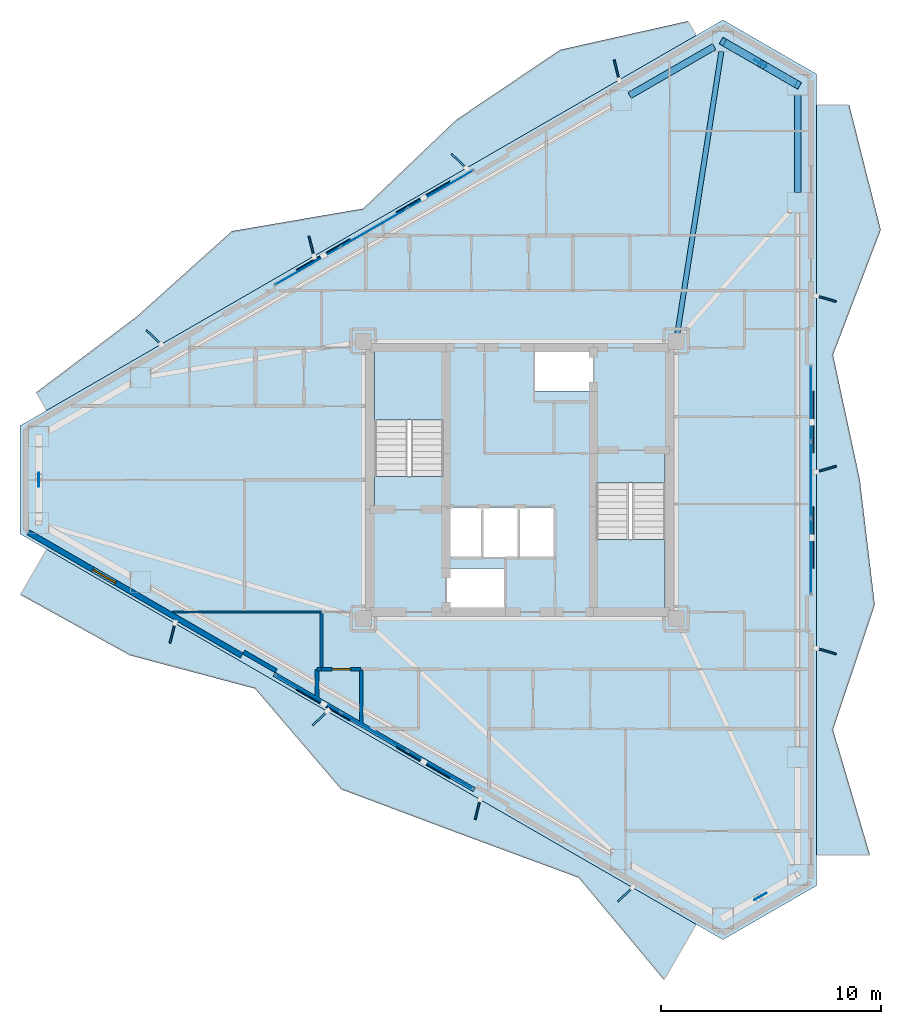
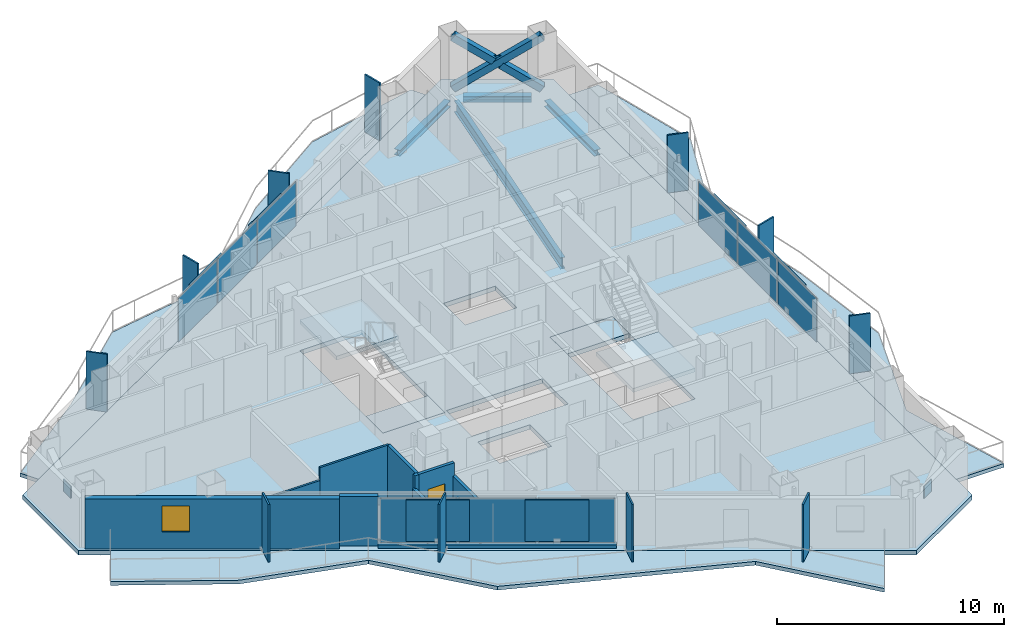
# One storey, part 11 of 18: 29 plates, 10 walls, 8 slabs, 4 beams, 3 members, 1 door, 1 window, 2 openings, 5 elements without a shape of their own.
"""IFC4 building model written with IfcOpenShell, lengths in metres."""

from ifc_helpers import new_model, si_unit, direction, frame, frame_2d, origin, origin_2d, place, context, subcontext, project, spatial, polyline, rectangle, hollow_rectangle, i_section, outline, extrude, material, layer, layer_set, material_profile, profile_set, type_object, element, fill, aggregate, save


model = new_model("IFC4")

# Units and contexts
model_context = context("Model", 3, precision=1e-05, world=origin(), true_north=direction((0.0, 1.0)))
body_context = subcontext(model_context, "Body", "Model", "MODEL_VIEW")
ifc_project = project(units=[si_unit("LENGTHUNIT", "METRE"), si_unit("AREAUNIT", "SQUARE_METRE"), si_unit("VOLUMEUNIT", "CUBIC_METRE"), si_unit("PLANEANGLEUNIT", "RADIAN"), si_unit("MASSUNIT", "GRAM", prefix="KILO")], contexts=[model_context])

# Site, building, storey
site_placement = place(None, origin())
site = spatial("IfcSite", under=ifc_project, at=site_placement, CompositionType="ELEMENT")
building_placement = place(site_placement, origin())
building = spatial("IfcBuilding", under=site, at=building_placement, Name="Mersakhor Tower and Convention Hall", CompositionType="ELEMENT")
storey_placement = place(building_placement, frame((0.0, 0.0, 134.39990234375)))
storey = spatial("IfcBuildingStorey", under=building, at=storey_placement, Name="L37", CompositionType="ELEMENT", Elevation=134.39990234375)

# Beams
ifc_material_1 = material(Name="Steel S355", Category="steel")
ifc_material_profile_1 = material_profile(ifc_material_1, i_section(OverallWidth=0.22900390625, OverallDepth=0.6123046875, WebThickness=0.011962890625, FlangeThickness=0.01953125, at=origin_2d()), Name="UB 610x229x125")
ifc_profile_set_1 = profile_set([ifc_material_profile_1], Name="Steel S355")
beam_type_1 = type_object("IfcBeamType", Name="BM-PR-610", PredefinedType="BEAM", material=ifc_profile_set_1)
beam_1_placement = place(storey_placement, frame((36.15478515625, 33.40087890625, -0.5458984375), z_axis=(0.154111159783, 0.988053515975, 0.0), x_axis=(-0.988053515975, 0.154111159783, 0.0)))
element("IfcBeam", 1, at=beam_1_placement, inside=storey, type_object=beam_type_1, Name="L37 Primary Floor Girder FG-2", PredefinedType="BEAM", context=body_context, shape_type="SweptSolid", body=[
    extrude(i_section(OverallWidth=0.22900390625, OverallDepth=0.6123046875, WebThickness=0.011962890625, FlangeThickness=0.01953125, at=origin_2d()), origin(), (0.0, 0.0, 1.0), 12.94921875),
])
ifc_material_2 = material(Name="Steel S355", Category="steel")
ifc_material_profile_2 = material_profile(ifc_material_2, i_section(OverallWidth=0.30908203125, OverallDepth=0.320556640625, WebThickness=0.013916015625, FlangeThickness=0.021728515625, at=origin_2d()), Name="UC 305x305x137")
ifc_profile_set_2 = profile_set([ifc_material_profile_2], Name="Steel S355")
beam_type_2 = type_object("IfcBeamType", Name="BM-SPD-UC305", PredefinedType="SPANDREL", material=ifc_profile_set_2)
beam_2_placement = place(storey_placement, frame((33.986572265625, 44.200439453125, -0.400146484375), z_axis=(0.866038875684, 0.49997666526, 0.0), x_axis=(-0.49997666526, 0.866038875684, 0.0)))
element("IfcBeam", 2, at=beam_2_placement, inside=storey, type_object=beam_type_2, Name="L37 Perimeter Spandrel Beam SPB-03", PredefinedType="SPANDREL", context=body_context, shape_type="SweptSolid", body=[
    extrude(i_section(OverallWidth=0.30908203125, OverallDepth=0.320556640625, WebThickness=0.013916015625, FlangeThickness=0.021728515625, at=origin_2d()), origin(), (0.0, 0.0, 1.0), 4.433837890625),
])
beam_3_placement = place(storey_placement, frame((38.614501953125, 46.417236328125, -0.400146484375), z_axis=(0.86604667077, -0.499963162692, 0.0), x_axis=(0.499963162692, 0.86604667077, 0.0)))
element("IfcBeam", 3, at=beam_3_placement, inside=storey, type_object=beam_type_2, Name="L37 Perimeter Spandrel Beam SPB-04", PredefinedType="SPANDREL", context=body_context, shape_type="SweptSolid", body=[
    extrude(i_section(OverallWidth=0.30908203125, OverallDepth=0.320556640625, WebThickness=0.013916015625, FlangeThickness=0.021728515625, at=origin_2d()), origin(), (0.0, 0.0, 1.0), 3.014404296875),
])
beam_4_placement = place(storey_placement, frame((41.619140625, 44.2275390625, -0.400146484375), z_axis=(0.0, -1.0, 0.0), x_axis=(1.0, 0.0, 0.0)))
element("IfcBeam", 4, at=beam_4_placement, inside=storey, type_object=beam_type_2, Name="L37 Perimeter Spandrel Beam SPB-05", PredefinedType="SPANDREL", context=body_context, shape_type="SweptSolid", body=[
    extrude(i_section(OverallWidth=0.30908203125, OverallDepth=0.320556640625, WebThickness=0.013916015625, FlangeThickness=0.021728515625, at=origin_2d()), origin(), (0.0, 0.0, 1.0), 4.433837890625),
])

# Members
ifc_material_3 = material(Name="Steel S460", Category="steel")
ifc_material_profile_3 = material_profile(ifc_material_3, hollow_rectangle(XDim=0.35009765625, YDim=0.35009765625, WallThickness=0.02001953125, at=origin_2d()), Name="SHS 350x350x20")
ifc_profile_set_3 = profile_set([ifc_material_profile_3], Name="Steel S460")
member_type = type_object("IfcMemberType", Name="MB-BRC-SHS350", PredefinedType="BRACE", material=ifc_profile_set_3)
member_placement = place(storey_placement, frame((38.220458984375, 46.644775390625, 0.150146484375), z_axis=(0.70838533923, -0.408971551713, 0.575267312693), x_axis=(0.499986324622, 0.866033299124, 0.0)))
element("IfcMember", 5, at=member_placement, inside=storey, type_object=member_type, Name="L37 Chamfer Braced Frame Diagonal CB-1A", PredefinedType="BRACE", context=body_context, shape_type="SweptSolid", body=[
    extrude(hollow_rectangle(XDim=0.35009765625, YDim=0.35009765625, WallThickness=0.02001953125, at=origin_2d()), origin(), (0.0, 0.0, 1.0), 4.7978515625),
])
for number, where, z_axis, x_axis, name in (
    (6, (41.619140625, 44.6826171875, 0.150146484375), (-0.708409139881, 0.409012716899, 0.575208734242), (-0.500011469263, -0.866018781901, 0.0), "L37 Chamfer Braced Frame Diagonal CB-1B Lower Half"),
    (7, (39.782470703125, 45.742919921875, 1.6416015625), (-0.708364021879, 0.408986667212, 0.575282816143), (-0.500011469263, -0.866018781901, 0.0), "L37 Chamfer Braced Frame Diagonal CB-1B Upper Half"),
):
    element("IfcMember", number, at=place(storey_placement, frame(where, z_axis=z_axis, x_axis=x_axis)), inside=storey, type_object=member_type, Name=name, PredefinedType="BRACE", context=body_context, shape_type="SweptSolid", body=[
        extrude(hollow_rectangle(XDim=0.35009765625, YDim=0.35009765625, WallThickness=0.02001953125, at=origin_2d()), origin(), (0.0, 0.0, 1.0), 2.205078125),
    ])

# Curtain wall, plates
ifc_material_4 = material(Name="Dark solar low-E aluminium curtain wall", Category="aluminium")
ifc_layer_1 = layer(ifc_material_4, 0.169921875)
ifc_layer_set_1 = layer_set([ifc_layer_1], Name="Dark solar low-E aluminium curtain wall")
curtain_wall_type = type_object("IfcCurtainWallType", Name="CW-SYS-02", PredefinedType="USERDEFINED", material=ifc_layer_set_1)
curtain_wall_1_placement = place(storey_placement, origin())
curtain_wall_1 = element("IfcCurtainWall", 8, at=curtain_wall_1_placement, inside=storey, type_object=curtain_wall_type, Name="L37 Dark-Glass Curtain Wall F1-B2", ObjectType="CURTAIN WALL", PredefinedType="USERDEFINED")
ifc_material_5 = material(Name="Dark solar double glazing", Category="glass")
ifc_layer_2 = layer(ifc_material_5, 0.028076171875)
ifc_layer_set_2 = layer_set([ifc_layer_2], Name="Dark solar double glazing")
plate_type_1 = type_object("IfcPlateType", Name="CWP-GLZ-28", PredefinedType="CURTAIN_PANEL", material=ifc_layer_set_2)
plate_1_placement = place(storey_placement, frame((19.379638671875, 36.4599609375, 0.26025390625), z_axis=(0.0, 0.0, 1.0), x_axis=(0.866030906807, 0.499990468363, 0.0)))
plate_1 = element("IfcPlate", 9, at=plate_1_placement, type_object=plate_type_1, Name="CW-02 panel 1.1", PredefinedType="CURTAIN_PANEL", context=body_context, shape_type="SweptSolid", body=[
    extrude(rectangle(XDim=3.3828125, YDim=0.028076171875, at=origin_2d()), origin(), (0.0, 0.0, 1.0), 2.360107421875),
])
plate_2_placement = place(storey_placement, frame((22.390380859375, 38.1982421875, 0.26025390625), z_axis=(0.0, 0.0, 1.0), x_axis=(0.866030906807, 0.499990468363, 0.0)))
plate_2 = element("IfcPlate", 10, at=plate_2_placement, type_object=plate_type_1, Name="CW-02 panel 2.1", PredefinedType="CURTAIN_PANEL", context=body_context, shape_type="SweptSolid", body=[
    extrude(rectangle(XDim=3.42041015625, YDim=0.028076171875, at=origin_2d()), origin(), (0.0, 0.0, 1.0), 2.360107421875),
])
plate_3_placement = place(storey_placement, frame((25.401123046875, 39.9365234375, 0.26025390625), z_axis=(0.0, 0.0, 1.0), x_axis=(0.866030906807, 0.499990468363, 0.0)))
plate_3 = element("IfcPlate", 11, at=plate_3_placement, type_object=plate_type_1, Name="CW-02 panel 3.1", PredefinedType="CURTAIN_PANEL", context=body_context, shape_type="SweptSolid", body=[
    extrude(rectangle(XDim=3.3828125, YDim=0.028076171875, at=origin_2d()), origin(), (0.0, 0.0, 1.0), 2.360107421875),
])
aggregate(curtain_wall_1, [plate_1, plate_2, plate_3])

curtain_wall_2_placement = place(storey_placement, origin())
curtain_wall_2 = element("IfcCurtainWall", 12, at=curtain_wall_2_placement, inside=storey, type_object=curtain_wall_type, Name="L37 Dark-Glass Curtain Wall F2-B2", ObjectType="CURTAIN WALL", PredefinedType="USERDEFINED")
plate_4_placement = place(storey_placement, frame((42.21923828125, 30.2265625, 0.26025390625), z_axis=(0.0, 0.0, 1.0), x_axis=(0.0, -1.0, 0.0)))
plate_4 = element("IfcPlate", 13, at=plate_4_placement, type_object=plate_type_1, Name="CW-02 panel 1.1", PredefinedType="CURTAIN_PANEL", context=body_context, shape_type="SweptSolid", body=[
    extrude(rectangle(XDim=3.3828125, YDim=0.028076171875, at=origin_2d()), origin(), (0.0, 0.0, 1.0), 2.360107421875),
])
plate_5_placement = place(storey_placement, frame((42.21923828125, 26.75, 0.26025390625), z_axis=(0.0, 0.0, 1.0), x_axis=(0.0, -1.0, 0.0)))
plate_5 = element("IfcPlate", 14, at=plate_5_placement, type_object=plate_type_1, Name="CW-02 panel 2.1", PredefinedType="CURTAIN_PANEL", context=body_context, shape_type="SweptSolid", body=[
    extrude(rectangle(XDim=3.42041015625, YDim=0.028076171875, at=origin_2d()), origin(), (0.0, 0.0, 1.0), 2.360107421875),
])
plate_6_placement = place(storey_placement, frame((42.21923828125, 23.2734375, 0.26025390625), z_axis=(0.0, 0.0, 1.0), x_axis=(0.0, -1.0, 0.0)))
plate_6 = element("IfcPlate", 15, at=plate_6_placement, type_object=plate_type_1, Name="CW-02 panel 3.1", PredefinedType="CURTAIN_PANEL", context=body_context, shape_type="SweptSolid", body=[
    extrude(rectangle(XDim=3.3828125, YDim=0.028076171875, at=origin_2d()), origin(), (0.0, 0.0, 1.0), 2.360107421875),
])
aggregate(curtain_wall_2, [plate_4, plate_5, plate_6])

curtain_wall_3_placement = place(storey_placement, origin())
curtain_wall_3 = element("IfcCurtainWall", 16, at=curtain_wall_3_placement, inside=storey, type_object=curtain_wall_type, Name="L37 Dark-Glass Curtain Wall F3-B2", ObjectType="CURTAIN WALL", PredefinedType="USERDEFINED")
plate_7_placement = place(storey_placement, frame((25.401123046875, 13.5634765625, 0.26025390625), z_axis=(0.0, 0.0, 1.0), x_axis=(-0.866030906807, 0.499990468363, 0.0)))
plate_7 = element("IfcPlate", 17, at=plate_7_placement, type_object=plate_type_1, Name="CW-02 panel 1.1", PredefinedType="CURTAIN_PANEL", context=body_context, shape_type="SweptSolid", body=[
    extrude(rectangle(XDim=3.3828125, YDim=0.028076171875, at=origin_2d()), origin(), (0.0, 0.0, 1.0), 2.360107421875),
])
plate_8_placement = place(storey_placement, frame((22.390380859375, 15.3017578125, 0.26025390625), z_axis=(0.0, 0.0, 1.0), x_axis=(-0.866030906807, 0.499990468363, 0.0)))
plate_8 = element("IfcPlate", 18, at=plate_8_placement, type_object=plate_type_1, Name="CW-02 panel 2.1", PredefinedType="CURTAIN_PANEL", context=body_context, shape_type="SweptSolid", body=[
    extrude(rectangle(XDim=3.42041015625, YDim=0.028076171875, at=origin_2d()), origin(), (0.0, 0.0, 1.0), 2.360107421875),
])
plate_9_placement = place(storey_placement, frame((19.379638671875, 17.0400390625, 0.26025390625), z_axis=(0.0, 0.0, 1.0), x_axis=(-0.866030906807, 0.499990468363, 0.0)))
plate_9 = element("IfcPlate", 19, at=plate_9_placement, type_object=plate_type_1, Name="CW-02 panel 3.1", PredefinedType="CURTAIN_PANEL", context=body_context, shape_type="SweptSolid", body=[
    extrude(rectangle(XDim=3.3828125, YDim=0.028076171875, at=origin_2d()), origin(), (0.0, 0.0, 1.0), 2.360107421875),
])
aggregate(curtain_wall_3, [plate_7, plate_8, plate_9])

# Plates
ifc_material_6 = material(Name="Ceramic-clad aluminium Zone 3 ochre-bronze", Category="aluminium")
ifc_material_7 = material(Name="Ceramic-clad aluminium Zone 1 cobalt-slate", Category="masonry")
ifc_layer_3 = layer(ifc_material_7, 0.080078125)
ifc_layer_set_3 = layer_set([ifc_layer_3], Name="Ceramic-clad aluminium Zone 1 cobalt-slate")
plate_type_2 = type_object("IfcPlateType", Name="PL-FIN-80", PredefinedType="USERDEFINED", material=ifc_layer_set_3)
for number, where, z_axis, x_axis, name in (
    (20, (12.38720703125, 33.215576171875, 0.0), (0.0, 0.0, 1.0), (-0.719339800339, 0.694658370459, 0.0), "L37 Zone 3 Coloured Brise-Soleil Fin F1-1"),
    (21, (19.542236328125, 37.3466796875, 0.0), (0.0, 0.0, 1.0), (-0.2419218956, 0.970295726276, 0.0), "L37 Zone 3 Coloured Brise-Soleil Fin F1-2"),
    (22, (26.24365234375, 41.215576171875, 0.0), (0.0, 0.0, 1.0), (-0.719339800339, 0.694658370459, 0.0), "L37 Zone 3 Coloured Brise-Soleil Fin F1-3"),
    (23, (33.398681640625, 45.346435546875, 0.0), (0.0, 0.0, 1.0), (-0.2419218956, 0.970295726276, 0.0), "L37 Zone 3 Coloured Brise-Soleil Fin F1-4"),
    (24, (42.90576171875, 34.9755859375, 0.0), (0.0, 0.0, 1.0), (0.961261695938, -0.275637355817, 0.0), "L37 Zone 3 Coloured Brise-Soleil Fin F2-1"),
    (25, (42.90576171875, 27.237548828125, 0.0), (0.0, 0.0, 1.0), (0.961261695938, 0.275637355817, 0.0), "L37 Zone 3 Coloured Brise-Soleil Fin F2-2"),
    (26, (42.90576171875, 18.9755859375, 0.0), (0.0, 0.0, 1.0), (0.961261695938, -0.275637355817, 0.0), "L37 Zone 3 Coloured Brise-Soleil Fin F2-3"),
    (27, (33.78955078125, 7.927734375, 0.0), (0.0, 0.0, 1.0), (-0.719339800339, -0.694658370459, 0.0), "L37 Zone 3 Coloured Brise-Soleil Fin F3-1"),
    (28, (27.088134765625, 11.796875, 0.0), (0.0, 0.0, 1.0), (-0.2419218956, -0.970295726276, 0.0), "L37 Zone 3 Coloured Brise-Soleil Fin F3-2"),
    (29, (19.93310546875, 15.927734375, 0.0), (0.0, 0.0, 1.0), (-0.719339800339, -0.694658370459, 0.0), "L37 Zone 3 Coloured Brise-Soleil Fin F3-3"),
    (30, (13.231689453125, 19.796875, 0.0), (0.0, 0.0, 1.0), (-0.2419218956, -0.970295726276, 0.0), "L37 Zone 3 Coloured Brise-Soleil Fin F3-4"),
):
    element("IfcPlate", number, at=place(storey_placement, frame(where, z_axis=z_axis, x_axis=x_axis)), inside=storey, type_object=plate_type_2, material=ifc_material_6, Name=name, ObjectType="FIN", PredefinedType="USERDEFINED", context=body_context, shape_type="SweptSolid", body=[
        extrude(rectangle(XDim=0.949951171875, YDim=0.080078125, at=origin_2d()), origin(), (0.0, 0.0, 1.0), 3.10009765625),
    ])
ifc_material_8 = material(Name="Steel S460", Category="steel")
ifc_layer_4 = layer(ifc_material_8, 0.0400390625)
ifc_layer_set_4 = layer_set([ifc_layer_4], Name="Steel S460")
plate_type_3 = type_object("IfcPlateType", Name="PL-GUSSET-40", PredefinedType="SHEET", material=ifc_layer_set_4)
for number, where, z_axis, x_axis, name in (
    (31, (39.919921875, 45.663818359375, 1.2099609375), (0.0, 0.0, 1.0), (-0.866025403784, 0.5, 0.0), "L37 X-Brace Crossing Gusset Node Plate"),
    (32, (39.919921875, 7.836181640625, 1.2099609375), (0.0, 0.0, 1.0), (0.866025403784, 0.5, 0.0), "L37 X-Brace Crossing Gusset Node Plate"),
    (33, (7.160400390625, 26.75, 1.2099609375), (0.0, 0.0, 1.0), (0.0, -1.0, 0.0), "L37 X-Brace Crossing Gusset Node Plate"),
):
    element("IfcPlate", number, at=place(storey_placement, frame(where, z_axis=z_axis, x_axis=x_axis)), inside=storey, type_object=plate_type_3, Name=name, PredefinedType="SHEET", context=body_context, shape_type="SweptSolid", body=[
        extrude(rectangle(XDim=0.639892578125, YDim=0.0400390625, at=origin_2d()), origin(), (0.0, 0.0, 1.0), 0.639892578125),
    ])
ifc_material_9 = material(Name="Perforated ceramic cobogo solar screen", Category="aluminium")
ifc_layer_5 = layer(ifc_material_9, 0.055908203125)
ifc_layer_set_5 = layer_set([ifc_layer_5], Name="Perforated ceramic cobogo solar screen")
plate_type_4 = type_object("IfcPlateType", Name="PL-SCR-56", PredefinedType="USERDEFINED", material=ifc_layer_set_5)
for number, where, z_axis, x_axis, name in (
    (34, (20.071044921875, 36.972412109375, 0.400146484375), (0.0, 0.0, 1.0), (0.866025403784, 0.5, 0.0), "L37 Perforated Ceramic Solar Screen F1-1"),
    (35, (24.61181640625, 39.59375, 0.400146484375), (0.0, 0.0, 1.0), (0.866025403784, 0.5, 0.0), "L37 Perforated Ceramic Solar Screen F1-2"),
    (36, (42.317138671875, 29.37158203125, 0.400146484375), (0.0, 0.0, 1.0), (0.0, -1.0, 0.0), "L37 Perforated Ceramic Solar Screen F2-1"),
    (37, (42.317138671875, 24.12841796875, 0.400146484375), (0.0, 0.0, 1.0), (0.0, -1.0, 0.0), "L37 Perforated Ceramic Solar Screen F2-2"),
    (38, (24.61181640625, 13.90625, 0.400146484375), (0.0, 0.0, 1.0), (-0.866025403784, 0.5, 0.0), "L37 Perforated Ceramic Solar Screen F3-1"),
    (39, (20.071044921875, 16.52783203125, 0.400146484375), (0.0, 0.0, 1.0), (-0.866025403784, 0.5, 0.0), "L37 Perforated Ceramic Solar Screen F3-2"),
):
    element("IfcPlate", number, at=place(storey_placement, frame(where, z_axis=z_axis, x_axis=x_axis)), inside=storey, type_object=plate_type_4, Name=name, ObjectType="SCREEN", PredefinedType="USERDEFINED", context=body_context, shape_type="SweptSolid", body=[
        extrude(rectangle(XDim=2.800048828125, YDim=0.055908203125, at=origin_2d()), origin(), (0.0, 0.0, 1.0), 2.22998046875),
    ])

# Slabs
ifc_material_10 = material(Name="Concrete C45/55", Category="concrete")
ifc_layer_6 = layer(ifc_material_10, 0.199951171875)
ifc_layer_set_6 = layer_set([ifc_layer_6], Name="Concrete C45/55")
slab_type_1 = type_object("IfcSlabType", Name="SL-BAL-200", PredefinedType="FLOOR", material=ifc_layer_set_6)
slab_1_placement = place(storey_placement, frame((0.0, 0.0, -0.199951171875)))
element("IfcSlab", 40, at=slab_1_placement, inside=storey, type_object=slab_type_1, Name="L37 Sinusoidal Balcony Slab Face 1", PredefinedType="FLOOR", context=body_context, shape_type="SweptSolid", body=[
    extrude(outline(polyline([(7.522705078125, 29.903076171875), (37.008056640625, 46.92626953125), (36.633056640625, 47.57568359375), (30.8330078125, 46.27294921875), (26.115966796875, 43.09423828125), (21.890380859375, 39.064208984375), (15.92919921875, 38.04052734375), (11.614013671875, 34.165283203125), (7.050537109375, 30.720947265625), (7.522705078125, 29.903076171875)])), origin(), (0.0, 0.0, 1.0), 0.199951171875),
])
slab_2_placement = place(storey_placement, frame((0.0, 0.0, -0.199951171875)))
element("IfcSlab", 41, at=slab_2_placement, inside=storey, type_object=slab_type_1, Name="L37 Sinusoidal Balcony Slab Face 2", PredefinedType="FLOOR", context=body_context, shape_type="SweptSolid", body=[
    extrude(outline(polyline([(42.46923828125, 43.773193359375), (42.46923828125, 9.726806640625), (44.893310546875, 9.726806640625), (43.21923828125, 15.401123046875), (45.1142578125, 21.07568359375), (44.43798828125, 26.75), (43.21923828125, 32.42431640625), (45.3857421875, 38.098876953125), (43.9560546875, 43.773193359375), (42.46923828125, 43.773193359375)])), origin(), (0.0, 0.0, 1.0), 0.199951171875),
])
slab_3_placement = place(storey_placement, frame((0.0, 0.0, -0.199951171875)))
element("IfcSlab", 42, at=slab_3_placement, inside=storey, type_object=slab_type_1, Name="L37 Sinusoidal Balcony Slab Face 3", PredefinedType="FLOOR", context=body_context, shape_type="SweptSolid", body=[
    extrude(outline(polyline([(37.008056640625, 6.57373046875), (7.522705078125, 23.596923828125), (6.329833984375, 21.531005859375), (11.296875, 18.78515625), (16.976318359375, 17.27294921875), (20.888916015625, 12.700927734375), (26.27587890625, 10.682861328125), (31.6748046875, 8.685302734375), (35.548095703125, 4.044921875), (37.008056640625, 6.57373046875)])), origin(), (0.0, 0.0, 1.0), 0.199951171875),
])
ifc_material_11 = material(Name="Concrete C40/50", Category="concrete")
ifc_layer_7 = layer(ifc_material_11, 0.239990234375)
ifc_layer_set_7 = layer_set([ifc_layer_7], Name="Concrete C40/50")
slab_type_2 = type_object("IfcSlabType", Name="SL-FLR-240", PredefinedType="FLOOR", material=ifc_layer_set_7)
slab_4_placement = place(storey_placement, frame((0.0, 0.0, -0.239990234375)))
element("IfcSlab", 43, at=slab_4_placement, inside=storey, type_object=slab_type_2, Name="L37 ST-1 Structural Stair Floor Landing", PredefinedType="LANDING", context=body_context, shape_type="SweptSolid", body=[
    extrude(outline(polyline([(25.550048828125, 25.39990234375), (25.550048828125, 26.89990234375), (22.39990234375, 26.89990234375), (22.39990234375, 25.39990234375), (25.550048828125, 25.39990234375)])), origin(), (0.0, 0.0, 1.0), 0.239990234375),
])
slab_5_placement = place(storey_placement, frame((0.0, 0.0, -0.239990234375)))
element("IfcSlab", 44, at=slab_5_placement, inside=storey, type_object=slab_type_2, Name="L37 ST-2 Structural Stair Floor Landing", PredefinedType="LANDING", context=body_context, shape_type="SweptSolid", body=[
    extrude(outline(polyline([(32.449951171875, 28.10009765625), (32.449951171875, 26.60009765625), (35.60009765625, 26.60009765625), (35.60009765625, 28.10009765625), (32.449951171875, 28.10009765625)])), origin(), (0.0, 0.0, 1.0), 0.239990234375),
])
slab_6_placement = place(storey_placement, frame((0.0, 0.0, -0.239990234375)))
element("IfcSlab", 45, at=slab_6_placement, inside=storey, type_object=slab_type_2, Name="Tower L37 Structural Floor Slab", PredefinedType="FLOOR", context=body_context, shape_type="SweptSolid", body=[
    extrude(outline(polyline([(6.310302734375, 29.202880859375), (38.220458984375, 47.626220703125), (42.46923828125, 45.17333984375), (42.46923828125, 8.32666015625), (38.220458984375, 5.873779296875), (6.310302734375, 24.297119140625), (6.310302734375, 29.202880859375)]), holes=[polyline([(25.550048828125, 25.39990234375), (25.550048828125, 32.699951171875), (22.39990234375, 32.699951171875), (22.39990234375, 25.39990234375), (25.550048828125, 25.39990234375)]), polyline([(32.449951171875, 28.10009765625), (32.449951171875, 20.800048828125), (35.60009765625, 20.800048828125), (35.60009765625, 28.10009765625), (32.449951171875, 28.10009765625)]), polyline([(25.679931640625, 20.820068359375), (25.679931640625, 22.719970703125), (28.320068359375, 22.719970703125), (28.320068359375, 20.820068359375), (25.679931640625, 20.820068359375)]), polyline([(29.679931640625, 30.780029296875), (29.679931640625, 32.679931640625), (32.320068359375, 32.679931640625), (32.320068359375, 30.780029296875), (29.679931640625, 30.780029296875)]), polyline([(25.679931640625, 23.25), (25.679931640625, 25.5), (30.570068359375, 25.5), (30.570068359375, 23.25), (25.679931640625, 23.25)])]), origin(), (0.0, 0.0, 1.0), 0.239990234375),
])

# Stair, slab
ifc_material_12 = material(Name="Concrete C45/55", Category="concrete")
stair_type = type_object("IfcStairType", Name="ST-TWR-20R", PredefinedType="HALF_TURN_STAIR", material=ifc_material_12)
stair_1_placement = place(storey_placement, origin())
stair_1 = element("IfcStair", 46, at=stair_1_placement, inside=storey, type_object=stair_type, Name="L37 Tower Protected Exit Stair ST-1", PredefinedType="HALF_TURN_STAIR")
ifc_material_13 = material(Name="Concrete C45/55", Category="concrete")
ifc_layer_8 = layer(ifc_material_13, 0.199951171875)
ifc_layer_set_8 = layer_set([ifc_layer_8], Name="Concrete C45/55")
slab_type_3 = type_object("IfcSlabType", Name="SL-LAND-200", PredefinedType="LANDING", material=ifc_layer_set_8)
slab_7_placement = place(storey_placement, frame((0.0, 0.0, 1.4501953125)))
slab_7 = element("IfcSlab", 47, at=slab_7_placement, type_object=slab_type_3, Name="ST-1 landing 1", PredefinedType="LANDING", context=body_context, shape_type="SweptSolid", body=[
    extrude(outline(polyline([(25.550048828125, 29.465087890625), (25.550048828125, 32.699951171875), (22.39990234375, 32.699951171875), (22.39990234375, 29.465087890625), (25.550048828125, 29.465087890625)])), origin(), (0.0, 0.0, 1.0), 0.199951171875),
])
aggregate(stair_1, [slab_7])

stair_2_placement = place(storey_placement, origin())
stair_2 = element("IfcStair", 48, at=stair_2_placement, inside=storey, type_object=stair_type, Name="L37 Tower Protected Exit Stair ST-2", PredefinedType="HALF_TURN_STAIR")
slab_8_placement = place(storey_placement, frame((0.0, 0.0, 1.4501953125)))
slab_8 = element("IfcSlab", 49, at=slab_8_placement, type_object=slab_type_3, Name="ST-2 landing 1", PredefinedType="LANDING", context=body_context, shape_type="SweptSolid", body=[
    extrude(outline(polyline([(32.449951171875, 24.034912109375), (32.449951171875, 20.800048828125), (35.60009765625, 20.800048828125), (35.60009765625, 24.034912109375), (32.449951171875, 24.034912109375)])), origin(), (0.0, 0.0, 1.0), 0.199951171875),
])
aggregate(stair_2, [slab_8])

# Wall, opening, window
ifc_material_14 = material(Name="Precast concrete C40/50", Category="concrete")
ifc_layer_9 = layer(ifc_material_14, 0.25)
ifc_layer_set_9 = layer_set([ifc_layer_9], Name="Precast concrete C40/50")
wall_type_1 = type_object("IfcWallType", Name="WL-EXT-250", PredefinedType="SOLIDWALL", material=ifc_layer_set_9)
wall_1_placement = place(storey_placement, frame((16.377685546875, 18.773193359375, 0.0), z_axis=(0.0, 0.0, 1.0), x_axis=(-0.866027848477, 0.499995765644, 0.0)))
wall_1 = element("IfcWall", 50, at=wall_1_placement, inside=storey, type_object=wall_type_1, Name="L37 Exterior Facade Wall F3-B3", PredefinedType="SOLIDWALL", context=body_context, shape_type="SweptSolid", body=[
    extrude(rectangle(XDim=11.18603515625, YDim=0.25, at=frame_2d((5.593017578125, 0.0))), origin(), (0.0, 0.0, 1.0), 2.68017578125),
])
opening_1_placement = place(wall_1_placement, frame((6.60498046875, 0.0, 0.89990234375)))
opening_1 = element("IfcOpeningElement", 51, at=opening_1_placement, cuts=wall_1, Name="Opening W-01", PredefinedType="OPENING", context=body_context, shape_type="SweptSolid", body=[
    extrude(rectangle(XDim=1.199951171875, YDim=1.39990234375, at=frame_2d((0.60009765625, 0.699951171875))), frame((0.0, 0.135009765625, 0.0), z_axis=(0.0, -1.0, 0.0), x_axis=(1.0, 0.0, 0.0)), (0.0, 0.0, 1.0), 0.27001953125),
])
ifc_material_15 = material(Name="Dark solar low-E glazed aluminium window", Category="aluminium")
window_type = type_object("IfcWindowType", Name="WN-RES-120x150", PartitioningType="SINGLE_PANEL", PredefinedType="WINDOW", material=ifc_material_15)
window_placement = place(opening_1_placement, origin())
window = element("IfcWindow", 52, at=window_placement, inside=storey, type_object=window_type, Name="L37 Bedroom Facade Window F3-B3-1", OverallHeight=1.39990234375, OverallWidth=1.199951171875, PartitioningType="SINGLE_PANEL", PredefinedType="WINDOW", context=body_context, shape_type="SweptSolid", body=[
    extrude(rectangle(XDim=1.199951171875, YDim=1.39990234375, at=frame_2d((0.60009765625, 0.699951171875))), frame((0.0, 0.030029296875, 0.0), z_axis=(0.0, -1.0, 0.0), x_axis=(1.0, 0.0, 0.0)), (0.0, 0.0, 1.0), 0.06005859375),
])
fill(opening_1, window)

# Walls
ifc_material_16 = material(Name="Precast concrete C40/50", Category="concrete")
ifc_layer_10 = layer(ifc_material_16, 0.199951171875)
ifc_layer_set_10 = layer_set([ifc_layer_10], Name="Precast concrete C40/50")
wall_type_2 = type_object("IfcWallType", Name="WL-PAR-200", PredefinedType="PARAPET", material=ifc_layer_set_10)
wall_2_placement = place(storey_placement, frame((26.930908203125, 12.680419921875, 0.0), z_axis=(0.0, 0.0, 1.0), x_axis=(-0.866026619769, 0.499997893847, 0.0)))
element("IfcWall", 53, at=wall_2_placement, inside=storey, type_object=wall_type_2, Name="L37 Curtain Wall Upstand Sill F3-B2", PredefinedType="PARAPET", context=body_context, shape_type="SweptSolid", body=[
    extrude(rectangle(XDim=10.48583984375, YDim=0.199951171875, at=frame_2d((5.242919921875, 0.0))), origin(), (0.0, 0.0, 1.0), 0.2001953125),
])
wall_3_placement = place(storey_placement, frame((17.939697265625, 18.0791015625, 0.0), z_axis=(0.0, 0.0, 1.0), x_axis=(-0.865989465428, 0.500062241894, 0.0)))
element("IfcWall", 54, at=wall_3_placement, inside=storey, type_object=wall_type_2, Name="L37 Column Pier Cladding Wall F3-C2", PredefinedType="PARAPET", context=body_context, shape_type="SweptSolid", body=[
    extrude(rectangle(XDim=1.699951171875, YDim=0.199951171875, at=frame_2d((0.85009765625, 0.0))), origin(), (0.0, 0.0, 1.0), 2.68017578125),
])
ifc_material_17 = material(Name="Moisture-resistant acoustic drywall studwork", Category="other")
ifc_layer_11 = layer(ifc_material_17, 0.175048828125)
ifc_layer_set_11 = layer_set([ifc_layer_11], Name="Moisture-resistant acoustic drywall studwork")
wall_type_3 = type_object("IfcWallType", Name="WL-PLM-175", PredefinedType="PLUMBINGWALL", material=ifc_layer_set_11)
wall_4_placement = place(storey_placement, frame((19.800048828125, 18.14990234375, 0.0), z_axis=(0.0, 0.0, 1.0), x_axis=(1.0, 0.0, 0.0)))
element("IfcWall", 55, at=wall_4_placement, inside=storey, type_object=wall_type_3, Name="L37 Interior Partition Wall P-071", PredefinedType="PLUMBINGWALL", context=body_context, shape_type="SweptSolid", body=[
    extrude(rectangle(XDim=0.199951171875, YDim=0.175048828125, at=frame_2d((0.10009765625, 0.0))), origin(), (0.0, 0.0, 1.0), 3.06005859375),
])
wall_5_placement = place(storey_placement, frame((19.800048828125, 16.84130859375, 0.0), z_axis=(0.0, 0.0, 1.0), x_axis=(0.0, 1.0, 0.0)))
element("IfcWall", 56, at=wall_5_placement, inside=storey, type_object=wall_type_3, Name="L37 Interior Partition Wall P-073", PredefinedType="PLUMBINGWALL", context=body_context, shape_type="SweptSolid", body=[
    extrude(rectangle(XDim=1.30859375, YDim=0.175048828125, at=frame_2d((0.654296875, 0.0))), origin(), (0.0, 0.0, 1.0), 2.364990234375),
])
ifc_material_18 = material(Name="Lightweight gypsum partition", Category="other")
ifc_layer_12 = layer(ifc_material_18, 0.10009765625)
ifc_layer_set_12 = layer_set([ifc_layer_12], Name="Lightweight gypsum partition")
wall_type_4 = type_object("IfcWallType", Name="WL-PRT-100", PredefinedType="PARTITIONING", material=ifc_layer_set_12)
wall_6_placement = place(storey_placement, frame((20.0, 20.75, 0.0), z_axis=(0.0, 0.0, 1.0), x_axis=(-1.0, 0.0, 0.0)))
element("IfcWall", 57, at=wall_6_placement, inside=storey, type_object=wall_type_4, Name="L37 Interior Partition Wall P-092", PredefinedType="PARTITIONING", context=body_context, shape_type="SweptSolid", body=[
    extrude(rectangle(XDim=3.5, YDim=0.10009765625, at=frame_2d((1.75, 0.0))), origin(), (0.0, 0.0, 1.0), 3.06005859375),
])
wall_7_placement = place(storey_placement, frame((16.5, 20.75, 0.0), z_axis=(0.0, 0.0, 1.0), x_axis=(-1.0, 0.0, 0.0)))
element("IfcWall", 58, at=wall_7_placement, inside=storey, type_object=wall_type_4, Name="L37 Interior Partition Wall P-126", PredefinedType="PARTITIONING", context=body_context, shape_type="SweptSolid", body=[
    extrude(rectangle(XDim=3.275146484375, YDim=0.10009765625, at=frame_2d((1.6376953125, 0.0))), origin(), (0.0, 0.0, 1.0), 2.364990234375),
])

# Wall, opening, door
ifc_material_19 = material(Name="Fire-rated gypsum board stud partition", Category="other")
ifc_layer_13 = layer(ifc_material_19, 0.14990234375)
ifc_layer_set_13 = layer_set([ifc_layer_13], Name="Fire-rated gypsum board stud partition")
wall_type_5 = type_object("IfcWallType", Name="WL-PRT-150", PredefinedType="PARTITIONING", material=ifc_layer_set_13)
wall_8_placement = place(storey_placement, frame((21.800048828125, 18.14990234375, 0.0), z_axis=(0.0, 0.0, 1.0), x_axis=(-1.0, 0.0, 0.0)))
wall_8 = element("IfcWall", 59, at=wall_8_placement, inside=storey, type_object=wall_type_5, Name="L37 Interior Partition Wall P-047", PredefinedType="PARTITIONING", context=body_context, shape_type="SweptSolid", body=[
    extrude(rectangle(XDim=1.800048828125, YDim=0.14990234375, at=frame_2d((0.89990234375, 0.0))), origin(), (0.0, 0.0, 1.0), 3.06005859375),
])
opening_2_placement = place(wall_8_placement, frame((0.47509765625, 0.0, 0.0)))
opening_2 = element("IfcOpeningElement", 60, at=opening_2_placement, cuts=wall_8, Name="Opening SVD-01", PredefinedType="OPENING", context=body_context, shape_type="SweptSolid", body=[
    extrude(rectangle(XDim=0.85009765625, YDim=2.10009765625, at=frame_2d((0.425048828125, 1.050048828125))), frame((0.0, 0.0849609375, 0.0), z_axis=(0.0, -1.0, 0.0), x_axis=(1.0, 0.0, 0.0)), (0.0, 0.0, 1.0), 0.169921875),
])
ifc_material_20 = material(Name="Fire-rated hardwood leaf and painted steel frame", Category="steel")
door_type = type_object("IfcDoorType", Name="DR-INT-SVC-085x210", OperationType="NOTDEFINED", PredefinedType="DOOR", material=ifc_material_20)
door_placement = place(opening_2_placement, origin())
door = element("IfcDoor", 61, at=door_placement, inside=storey, type_object=door_type, Name="L37 Residential South Gallery Corridor to L37 Floor Shared Restroom WC 2-2 Door", OperationType="SINGLE_SWING_RIGHT", OverallHeight=2.10009765625, OverallWidth=0.85009765625, PredefinedType="DOOR", context=body_context, shape_type="SweptSolid", body=[
    extrude(rectangle(XDim=0.85009765625, YDim=2.10009765625, at=frame_2d((0.425048828125, 1.050048828125))), frame((0.0, 0.02490234375, 0.0), z_axis=(0.0, -1.0, 0.0), x_axis=(1.0, 0.0, 0.0)), (0.0, 0.0, 1.0), 0.050048828125),
])
fill(opening_2, door)

# Walls
wall_9_placement = place(storey_placement, frame((20.0, 18.14990234375, 0.0), z_axis=(0.0, 0.0, 1.0), x_axis=(0.0, 1.0, 0.0)))
element("IfcWall", 62, at=wall_9_placement, inside=storey, type_object=wall_type_5, Name="L37 Interior Partition Wall P-048", PredefinedType="PARTITIONING", context=body_context, shape_type="SweptSolid", body=[
    extrude(rectangle(XDim=2.60009765625, YDim=0.14990234375, at=frame_2d((1.300048828125, 0.0))), origin(), (0.0, 0.0, 1.0), 3.06005859375),
])
wall_10_placement = place(storey_placement, frame((21.800048828125, 18.14990234375, 0.0), z_axis=(0.0, 0.0, 1.0), x_axis=(0.0, -1.0, 0.0)))
element("IfcWall", 63, at=wall_10_placement, inside=storey, type_object=wall_type_5, Name="L37 Interior Partition Wall P-072", PredefinedType="PARTITIONING", context=body_context, shape_type="SweptSolid", body=[
    extrude(rectangle(XDim=2.46337890625, YDim=0.14990234375, at=frame_2d((1.231689453125, 0.0))), origin(), (0.0, 0.0, 1.0), 2.364990234375),
])

save(model, "model.ifc")
